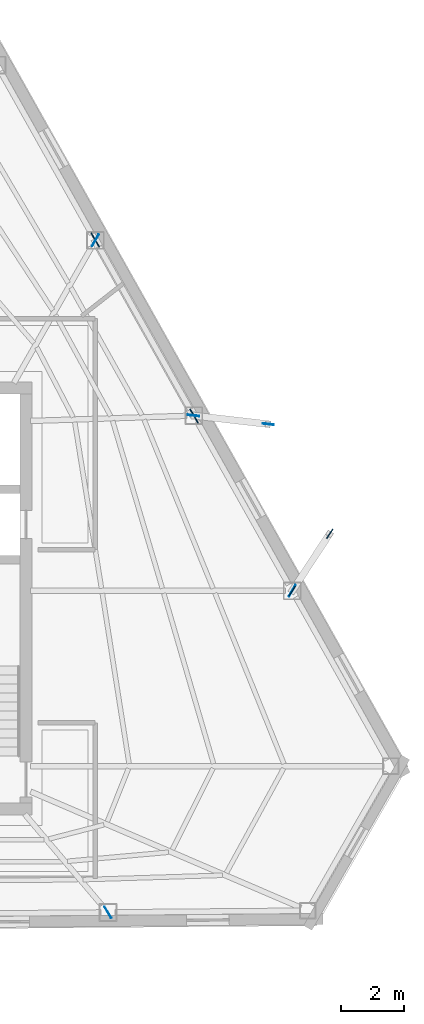
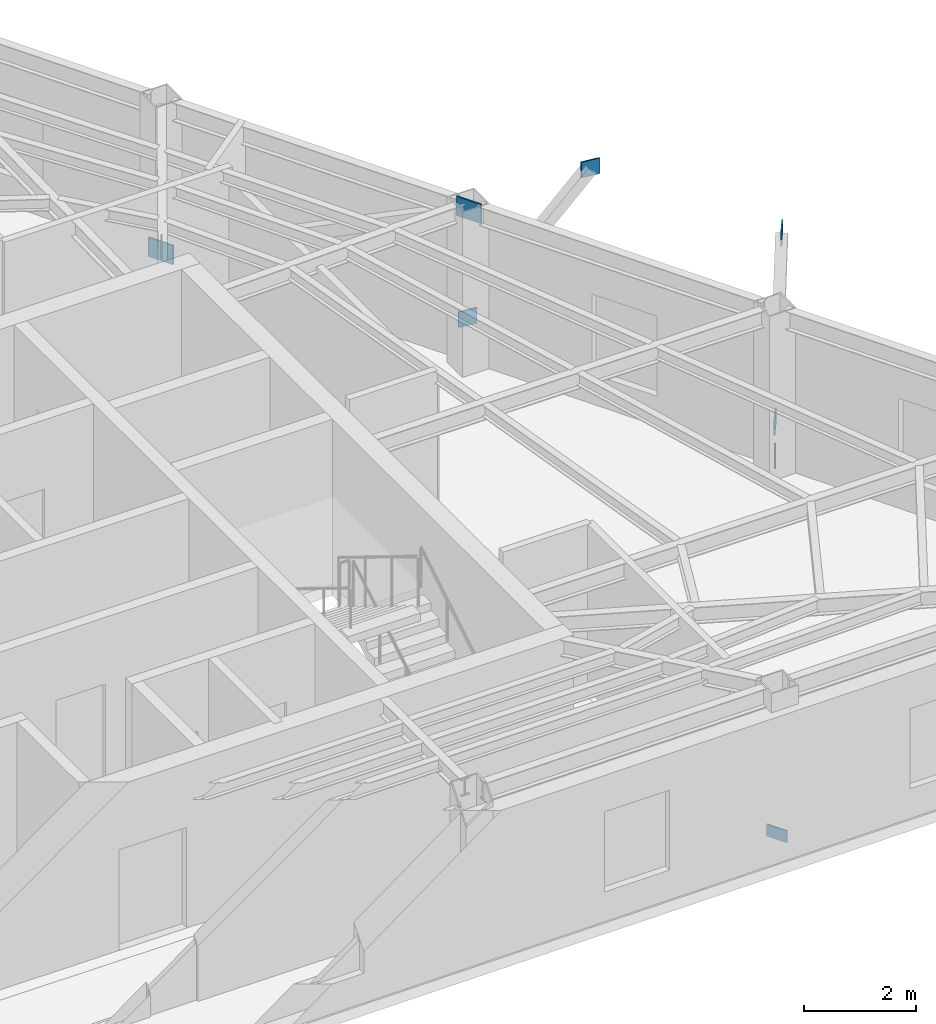
# One storey, part 5 of 11: 9 plates.
"""IFC4 building model written with IfcOpenShell, lengths in metres."""

from ifc_helpers import new_model, si_unit, direction, frame, origin, origin_2d, place, context, subcontext, project, spatial, rectangle, extrude, material, layer, layer_set, type_object, element, save


model = new_model("IFC4")

# Units and contexts
model_context = context("Model", 3, precision=1e-05, world=origin(), true_north=direction((0.0, 1.0)))
body_context = subcontext(model_context, "Body", "Model", "MODEL_VIEW")
ifc_project = project(units=[si_unit("LENGTHUNIT", "METRE"), si_unit("AREAUNIT", "SQUARE_METRE"), si_unit("VOLUMEUNIT", "CUBIC_METRE"), si_unit("PLANEANGLEUNIT", "RADIAN"), si_unit("MASSUNIT", "GRAM", prefix="KILO")], contexts=[model_context])

# Site, building, storey
site_placement = place(None, origin())
site = spatial("IfcSite", under=ifc_project, at=site_placement, CompositionType="ELEMENT")
building_placement = place(site_placement, origin())
building = spatial("IfcBuilding", under=site, at=building_placement, Name="Kavelnor Concourse Tower", CompositionType="ELEMENT")
storey_placement = place(building_placement, frame((0.0, 0.0, 297.25)))
storey = spatial("IfcBuildingStorey", under=building, at=storey_placement, Name="L75", CompositionType="ELEMENT", Elevation=297.25)

# Plates
ifc_material = material(Name="Steel Grade 350", Category="steel")
ifc_layer_1 = layer(ifc_material, 0.028076171875, Name="Steel Grade 350")
ifc_layer_set_1 = layer_set([ifc_layer_1], Name="Steel Grade 350")
plate_type_1 = type_object("IfcPlateType", Name="PL-GUSSET-FOLD", PredefinedType="USERDEFINED", material=ifc_layer_set_1)
for number, where, z_axis, x_axis, name in (
    (1, (56.166015625, 16.333984375, 0.8798828125), (0.0, 0.0, 1.0), (0.548001277184, 0.836477495337, 0.0), "L75 Balcony Strut Gusset GP4 2-A End Gusset A"),
    (2, (57.36376953125, 18.16162109375, 3.48486328125), (0.0, 0.0, 1.0), (0.548001277184, 0.836477495337, 0.0), "L75 Balcony Strut Gusset GP4 2-A End Gusset B"),
    (3, (53.0341796875, 21.91162109375, 0.8798828125), (0.0, 0.0, 1.0), (0.993472688925, -0.114070225565, 0.0), "L75 Balcony Strut Gusset GP4 2-B End Gusset A"),
    (4, (55.411376953125, 21.638427734375, 3.48486328125), (0.0, 0.0, 1.0), (0.993472688925, -0.114070225565, 0.0), "L75 Balcony Strut Gusset GP4 2-B End Gusset B"),
):
    element("IfcPlate", number, at=place(storey_placement, frame(where, z_axis=z_axis, x_axis=x_axis)), inside=storey, type_object=plate_type_1, Name=name, ObjectType="GUSSET_PLATE", PredefinedType="USERDEFINED", context=body_context, shape_type="SweptSolid", body=[
        extrude(rectangle(XDim=0.360107421875, YDim=0.028076171875, at=origin_2d()), origin(), (0.0, 0.0, 1.0), 0.340087890625),
    ])
ifc_layer_2 = layer(ifc_material, 0.031982421875, Name="Steel Grade 350")
ifc_layer_set_2 = layer_set([ifc_layer_2], Name="Steel Grade 350")
plate_type_2 = type_object("IfcPlateType", Name="PL-GUSSET-TUBE-Z1", PredefinedType="USERDEFINED", material=ifc_layer_set_2)
for number, where, z_axis, x_axis, name in (
    (5, (49.91357421875, 27.487060546875, 0.010009765625), (0.0, 0.0, 1.0), (0.48968683153, -0.871898392604, 0.0), "L75 Tube Brace Gusset GP3 F2-B2 End Gusset A"),
    (6, (53.052001953125, 21.899658203125, 3.197021484375), (0.0, 0.0, 1.0), (0.48968683153, -0.871898392604, 0.0), "L75 Tube Brace Gusset GP3 F2-B2 End Gusset B"),
):
    element("IfcPlate", number, at=place(storey_placement, frame(where, z_axis=z_axis, x_axis=x_axis)), inside=storey, type_object=plate_type_2, Name=name, ObjectType="GUSSET_PLATE", PredefinedType="USERDEFINED", context=body_context, shape_type="SweptSolid", body=[
        extrude(rectangle(XDim=0.52001953125, YDim=0.031982421875, at=origin_2d()), origin(), (0.0, 0.0, 1.0), 0.419921875),
    ])
ifc_layer_3 = layer(ifc_material, 0.02490234375, Name="Steel Grade 350")
ifc_layer_set_3 = layer_set([ifc_layer_3], Name="Steel Grade 350")
plate_type_3 = type_object("IfcPlateType", Name="PL-SPLICE-FLANGE", PredefinedType="SHEET", material=ifc_layer_set_3)
for number, where, z_axis, x_axis, name in (
    (7, (50.318603515625, 6.12939453125, 0.169921875), (0.0, 0.0, 1.0), (-0.5, 0.866025403784, 0.0), "L75 Column Flange Splice Plate F1-B5"),
    (8, (56.172607421875, 16.343994140625, 0.169921875), (0.0, 0.0, 1.0), (-0.5, -0.866025403784, 0.0), "L75 Column Flange Splice Plate F2-B1"),
    (9, (49.91943359375, 27.4765625, 0.169921875), (0.0, 0.0, 1.0), (-0.5, -0.866025403784, 0.0), "L75 Column Flange Splice Plate F2-B3"),
):
    element("IfcPlate", number, at=place(storey_placement, frame(where, z_axis=z_axis, x_axis=x_axis)), inside=storey, type_object=plate_type_3, Name=name, PredefinedType="SHEET", context=body_context, shape_type="SweptSolid", body=[
        extrude(rectangle(XDim=0.419921875, YDim=0.02490234375, at=origin_2d()), origin(), (0.0, 0.0, 1.0), 0.260009765625),
    ])

save(model, "model.ifc")
